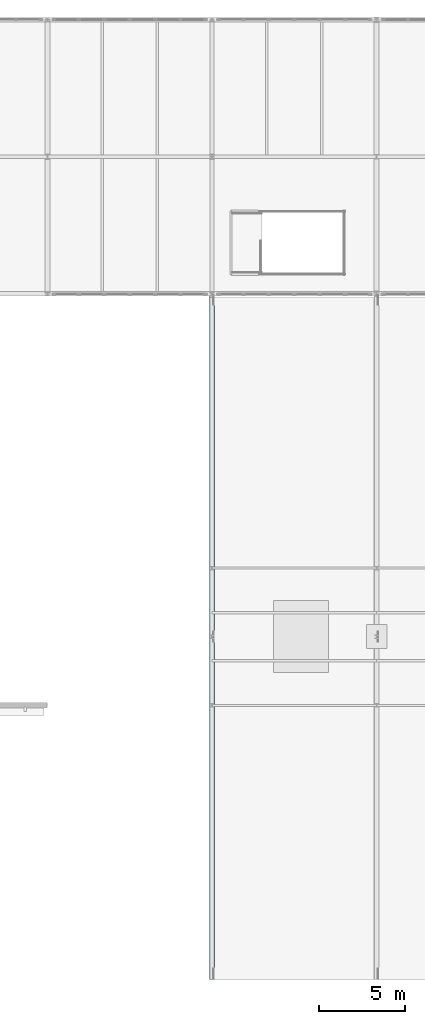
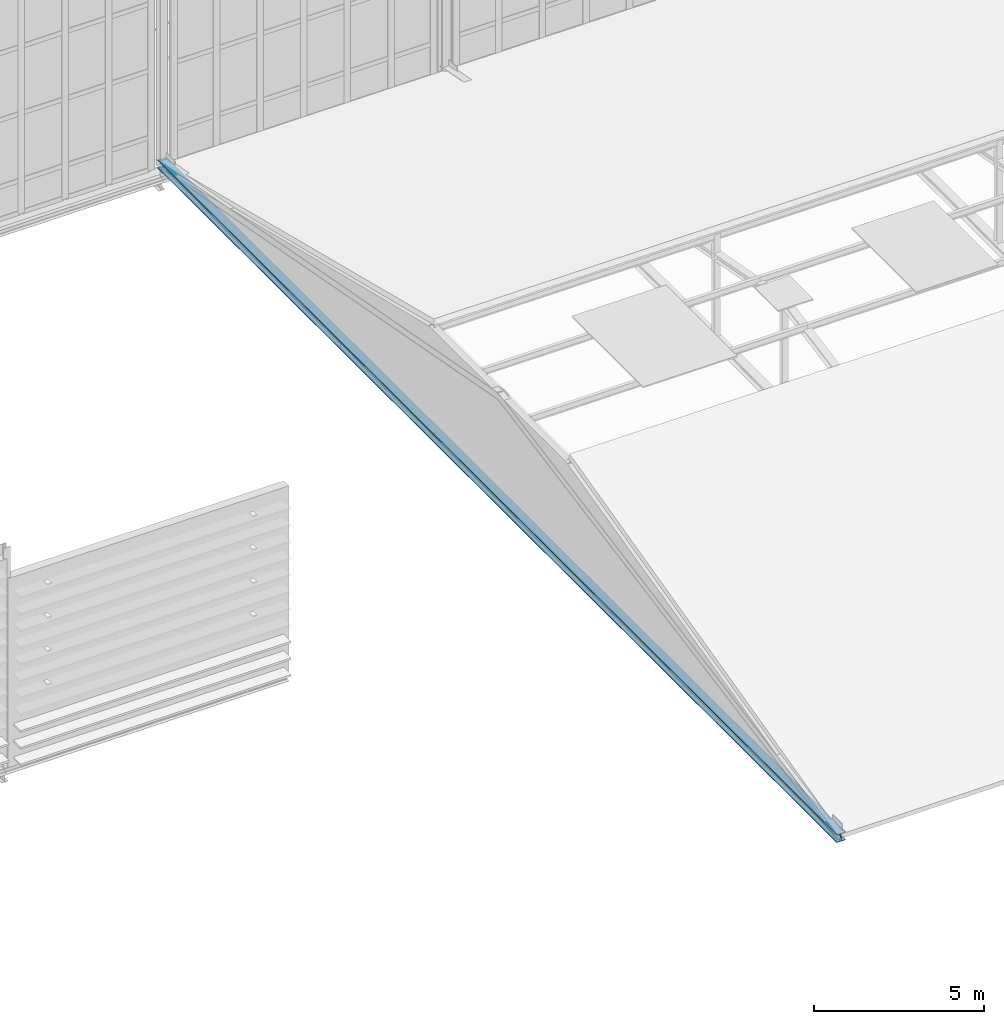
# One storey, part 23 of 73: 1 member.
"""IFC4 building model written with IfcOpenShell, lengths in metres."""

from ifc_helpers import new_model, si_unit, direction, frame, origin, origin_2d, place, context, subcontext, project, spatial, i_section, extrude, material, material_profile, profile_set, type_object, element, save


model = new_model("IFC4")

# Units and contexts
model_context = context("Model", 3, precision=1e-05, world=origin(), true_north=direction((0.0, 1.0)))
body_context = subcontext(model_context, "Body", "Model", "MODEL_VIEW")
ifc_project = project(units=[si_unit("LENGTHUNIT", "METRE"), si_unit("AREAUNIT", "SQUARE_METRE"), si_unit("VOLUMEUNIT", "CUBIC_METRE"), si_unit("PLANEANGLEUNIT", "RADIAN"), si_unit("MASSUNIT", "GRAM", prefix="KILO")], contexts=[model_context])

# Site, building, storey
site_placement = place(None, origin())
site = spatial("IfcSite", under=ifc_project, at=site_placement, CompositionType="ELEMENT")
building_placement = place(site_placement, origin())
building = spatial("IfcBuilding", under=site, at=building_placement, Name="Alderhovde Museum", CompositionType="ELEMENT")
storey_placement = place(building_placement, frame((0.0, 0.0, 17.39990234375)))
storey = spatial("IfcBuildingStorey", under=building, at=storey_placement, Name="L04", CompositionType="ELEMENT", Elevation=17.39990234375)

# Member
ifc_material = material(Name="Steel S355J2", Category="steel")
ifc_material_profile = material_profile(ifc_material, i_section(OverallWidth=0.300048828125, OverallDepth=0.2900390625, WebThickness=0.008544921875, FlangeThickness=0.013916015625, FilletRadius=0.027099609375, at=origin_2d()), Name="HEA 300")
ifc_profile_set = profile_set([ifc_material_profile], Name="Steel S355J2")
member_type = type_object("IfcMemberType", Name="TR-CH-HEA300", PredefinedType="CHORD", material=ifc_profile_set)
member_placement = place(storey_placement, frame((76.800048828125, 32.0, 0.1201171875), z_axis=(0.0, 1.0, 0.0), x_axis=(-1.0, 0.0, 0.0)))
element("IfcMember", 1, at=member_placement, inside=storey, type_object=member_type, Name="Atrium Truss X=76.8 Continuous Tie", PredefinedType="CHORD", context=body_context, shape_type="SweptSolid", body=[
    extrude(i_section(OverallWidth=0.300048828125, OverallDepth=0.2900390625, WebThickness=0.008544921875, FlangeThickness=0.013916015625, FilletRadius=0.027099609375, at=origin_2d()), origin(), (0.0, 0.0, 1.0), 40.0),
])

save(model, "model.ifc")
